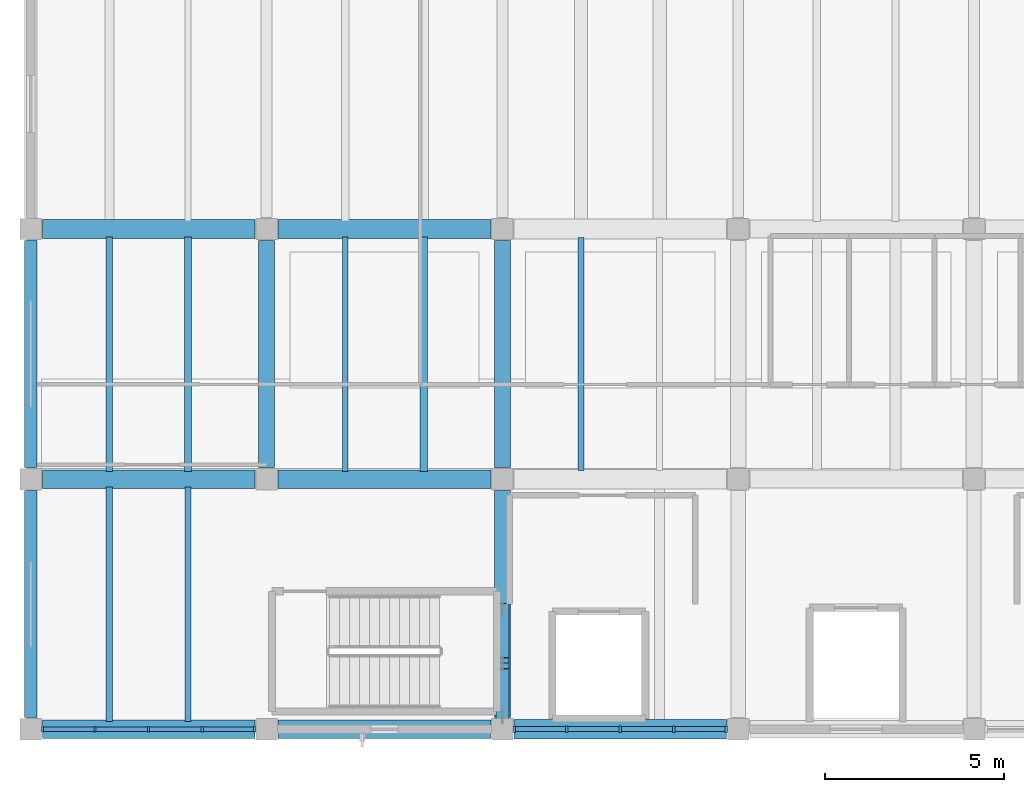
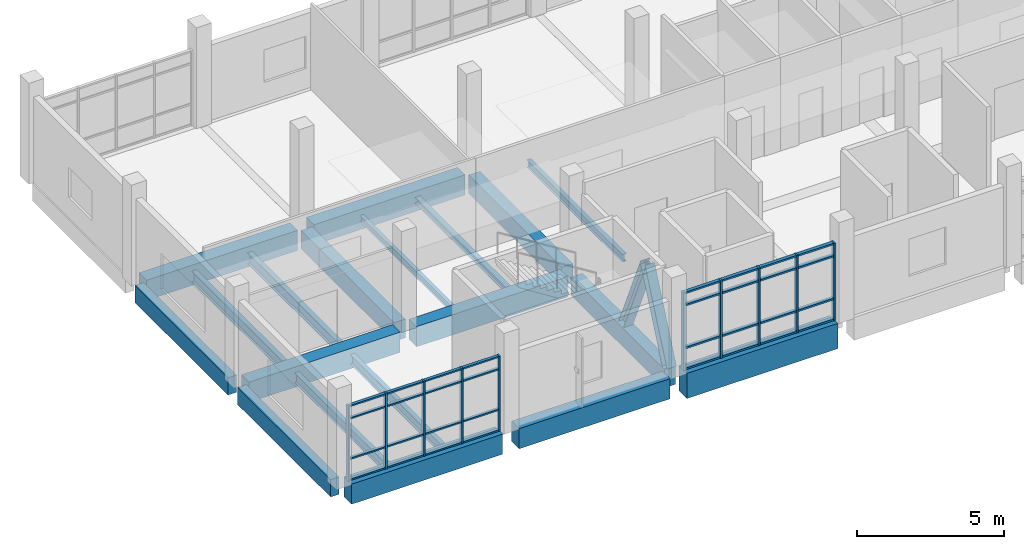
# One storey, part 2 of 14: 44 members, 19 beams, 2 elements without a shape of their own.
"""IFC4 building model written with IfcOpenShell, lengths in metres."""

from ifc_helpers import new_model, si_unit, direction, frame, origin, origin_2d, place, context, subcontext, project, spatial, rectangle, i_section, extrude, material, material_profile, profile_set, type_object, element, aggregate, save


model = new_model("IFC4")

# Units and contexts
model_context = context("Model", 3, precision=1e-05, world=origin(), true_north=direction((0.0, 1.0)))
body_context = subcontext(model_context, "Body", "Model", "MODEL_VIEW")
ifc_project = project(units=[si_unit("LENGTHUNIT", "METRE"), si_unit("AREAUNIT", "SQUARE_METRE"), si_unit("VOLUMEUNIT", "CUBIC_METRE"), si_unit("PLANEANGLEUNIT", "RADIAN"), si_unit("MASSUNIT", "GRAM", prefix="KILO")], contexts=[model_context])

# Site, building, storey
site_placement = place(None, origin())
site = spatial("IfcSite", under=ifc_project, at=site_placement, CompositionType="ELEMENT")
building_placement = place(site_placement, origin())
building = spatial("IfcBuilding", under=site, at=building_placement, Name="Ciguamira Faculty of Natural Sciences", CompositionType="ELEMENT")
storey_placement = place(building_placement, frame((0.0, 0.0, 29.39990234375)))
storey = spatial("IfcBuildingStorey", under=building, at=storey_placement, Name="L07", CompositionType="ELEMENT", Elevation=29.39990234375)

# Curtain wall, members
ifc_material_1 = material(Name="Anodized aluminium curtain wall", Category="aluminium")
curtain_wall_type_1 = type_object("IfcCurtainWallType", Name="CurtainWall_CW-04", PredefinedType="USERDEFINED", material=ifc_material_1)
curtain_wall_1_placement = place(storey_placement, origin())
curtain_wall_1 = element("IfcCurtainWall", 1, at=curtain_wall_1_placement, inside=storey, type_object=curtain_wall_type_1, Name="L07 unitised curtain wall 0148", ObjectType="UNITISED CURTAIN WALL", PredefinedType="USERDEFINED")
ifc_material_2 = material(Name="Anodized aluminium mullion", Category="aluminium")
ifc_material_profile_1 = material_profile(ifc_material_2, rectangle(XDim=0.06005859375, YDim=0.159912109375, at=origin_2d()), Name="ALU-MUL-60X160")
ifc_profile_set_1 = profile_set([ifc_material_profile_1], Name="Anodized aluminium mullion")
member_type_1 = type_object("IfcMemberType", Name="CWMullion_CWM-01", PredefinedType="MULLION", material=ifc_profile_set_1)
member_1_placement = place(storey_placement, frame((64.22998046875, 94.0, 0.0), z_axis=(0.0, 0.0, 1.0), x_axis=(1.0, 0.0, 0.0)))
member_1 = element("IfcMember", 2, at=member_1_placement, type_object=member_type_1, Name="CW-04 mullion 1", PredefinedType="MULLION", context=body_context, shape_type="SweptSolid", body=[
    extrude(rectangle(XDim=0.06005859375, YDim=0.159912109375, at=origin_2d()), origin(), (0.0, 0.0, 1.0), 3.135009765625),
])
member_2_placement = place(storey_placement, frame((65.699951171875, 94.0, 0.0), z_axis=(0.0, 0.0, 1.0), x_axis=(1.0, 0.0, 0.0)))
member_2 = element("IfcMember", 3, at=member_2_placement, type_object=member_type_1, Name="CW-04 mullion 2", PredefinedType="MULLION", context=body_context, shape_type="SweptSolid", body=[
    extrude(rectangle(XDim=0.06005859375, YDim=0.159912109375, at=origin_2d()), origin(), (0.0, 0.0, 1.0), 3.135009765625),
])
member_3_placement = place(storey_placement, frame((67.199951171875, 94.0, 0.0), z_axis=(0.0, 0.0, 1.0), x_axis=(1.0, 0.0, 0.0)))
member_3 = element("IfcMember", 4, at=member_3_placement, type_object=member_type_1, Name="CW-04 mullion 3", PredefinedType="MULLION", context=body_context, shape_type="SweptSolid", body=[
    extrude(rectangle(XDim=0.06005859375, YDim=0.159912109375, at=origin_2d()), origin(), (0.0, 0.0, 1.0), 3.135009765625),
])
member_4_placement = place(storey_placement, frame((68.699951171875, 94.0, 0.0), z_axis=(0.0, 0.0, 1.0), x_axis=(1.0, 0.0, 0.0)))
member_4 = element("IfcMember", 5, at=member_4_placement, type_object=member_type_1, Name="CW-04 mullion 4", PredefinedType="MULLION", context=body_context, shape_type="SweptSolid", body=[
    extrude(rectangle(XDim=0.06005859375, YDim=0.159912109375, at=origin_2d()), origin(), (0.0, 0.0, 1.0), 3.135009765625),
])
member_5_placement = place(storey_placement, frame((70.169921875, 94.0, 0.0), z_axis=(0.0, 0.0, 1.0), x_axis=(1.0, 0.0, 0.0)))
member_5 = element("IfcMember", 6, at=member_5_placement, type_object=member_type_1, Name="CW-04 mullion 5", PredefinedType="MULLION", context=body_context, shape_type="SweptSolid", body=[
    extrude(rectangle(XDim=0.06005859375, YDim=0.159912109375, at=origin_2d()), origin(), (0.0, 0.0, 1.0), 3.135009765625),
])

curtain_wall_type_2 = type_object("IfcCurtainWallType", Name="CurtainWall_CW-05", PredefinedType="USERDEFINED", material=ifc_material_1)
curtain_wall_2_placement = place(storey_placement, origin())
curtain_wall_2 = element("IfcCurtainWall", 7, at=curtain_wall_2_placement, inside=storey, type_object=curtain_wall_type_2, Name="L07 unitised curtain wall 0149", ObjectType="UNITISED CURTAIN WALL", PredefinedType="USERDEFINED")
ifc_material_profile_2 = material_profile(ifc_material_2, rectangle(XDim=0.070068359375, YDim=0.179931640625, at=origin_2d()), Name="ALU-MUL-70X180")
ifc_profile_set_2 = profile_set([ifc_material_profile_2], Name="Anodized aluminium mullion")
member_type_2 = type_object("IfcMemberType", Name="CWMullion_CWM-02", PredefinedType="MULLION", material=ifc_profile_set_2)
member_6_placement = place(storey_placement, frame((77.43505859375, 94.0, 0.0), z_axis=(0.0, 0.0, 1.0), x_axis=(1.0, 0.0, 0.0)))
member_6 = element("IfcMember", 8, at=member_6_placement, type_object=member_type_2, Name="CW-05 mullion 1", PredefinedType="MULLION", context=body_context, shape_type="SweptSolid", body=[
    extrude(rectangle(XDim=0.070068359375, YDim=0.179931640625, at=origin_2d()), origin(), (0.0, 0.0, 1.0), 3.235107421875),
])
member_7_placement = place(storey_placement, frame((78.89990234375, 94.0, 0.0), z_axis=(0.0, 0.0, 1.0), x_axis=(1.0, 0.0, 0.0)))
member_7 = element("IfcMember", 9, at=member_7_placement, type_object=member_type_2, Name="CW-05 mullion 2", PredefinedType="MULLION", context=body_context, shape_type="SweptSolid", body=[
    extrude(rectangle(XDim=0.070068359375, YDim=0.179931640625, at=origin_2d()), origin(), (0.0, 0.0, 1.0), 3.235107421875),
])
member_8_placement = place(storey_placement, frame((80.39990234375, 94.0, 0.0), z_axis=(0.0, 0.0, 1.0), x_axis=(1.0, 0.0, 0.0)))
member_8 = element("IfcMember", 10, at=member_8_placement, type_object=member_type_2, Name="CW-05 mullion 3", PredefinedType="MULLION", context=body_context, shape_type="SweptSolid", body=[
    extrude(rectangle(XDim=0.070068359375, YDim=0.179931640625, at=origin_2d()), origin(), (0.0, 0.0, 1.0), 3.235107421875),
])
member_9_placement = place(storey_placement, frame((81.89990234375, 94.0, 0.0), z_axis=(0.0, 0.0, 1.0), x_axis=(1.0, 0.0, 0.0)))
member_9 = element("IfcMember", 11, at=member_9_placement, type_object=member_type_2, Name="CW-05 mullion 4", PredefinedType="MULLION", context=body_context, shape_type="SweptSolid", body=[
    extrude(rectangle(XDim=0.070068359375, YDim=0.179931640625, at=origin_2d()), origin(), (0.0, 0.0, 1.0), 3.235107421875),
])
member_10_placement = place(storey_placement, frame((83.364990234375, 94.0, 0.0), z_axis=(0.0, 0.0, 1.0), x_axis=(1.0, 0.0, 0.0)))
member_10 = element("IfcMember", 12, at=member_10_placement, type_object=member_type_2, Name="CW-05 mullion 5", PredefinedType="MULLION", context=body_context, shape_type="SweptSolid", body=[
    extrude(rectangle(XDim=0.070068359375, YDim=0.179931640625, at=origin_2d()), origin(), (0.0, 0.0, 1.0), 3.235107421875),
])

# Member
ifc_material_3 = material(Name="Anodized aluminium transom", Category="aluminium")
ifc_material_profile_3 = material_profile(ifc_material_3, rectangle(XDim=0.06005859375, YDim=0.1201171875, at=origin_2d()), Name="ALU-TRN-60X120")
ifc_profile_set_3 = profile_set([ifc_material_profile_3], Name="Anodized aluminium transom")
member_type_3 = type_object("IfcMemberType", Name="CWTransom_CWT-01", PredefinedType="USERDEFINED", material=ifc_profile_set_3)
member_11_placement = place(storey_placement, frame((64.260009765625, 94.0, 0.030029296875), z_axis=(1.0, 0.0, 0.0), x_axis=(0.0, 0.0, 1.0)))
member_11 = element("IfcMember", 13, at=member_11_placement, type_object=member_type_3, Name="CW-04 transom 1.1", ObjectType="TRANSOM", PredefinedType="USERDEFINED", context=body_context, shape_type="SweptSolid", body=[
    extrude(rectangle(XDim=0.06005859375, YDim=0.1201171875, at=origin_2d()), origin(), (0.0, 0.0, 1.0), 1.409912109375),
])

member_12_placement = place(storey_placement, frame((64.260009765625, 94.0, 0.900146484375), z_axis=(1.0, 0.0, 0.0), x_axis=(0.0, 0.0, 1.0)))
member_12 = element("IfcMember", 14, at=member_12_placement, type_object=member_type_3, Name="CW-04 transom 1.2", ObjectType="TRANSOM", PredefinedType="USERDEFINED", context=body_context, shape_type="SweptSolid", body=[
    extrude(rectangle(XDim=0.06005859375, YDim=0.1201171875, at=origin_2d()), origin(), (0.0, 0.0, 1.0), 1.409912109375),
])

member_13_placement = place(storey_placement, frame((64.260009765625, 94.0, 2.585205078125), z_axis=(1.0, 0.0, 0.0), x_axis=(0.0, 0.0, 1.0)))
member_13 = element("IfcMember", 15, at=member_13_placement, type_object=member_type_3, Name="CW-04 transom 1.3", ObjectType="TRANSOM", PredefinedType="USERDEFINED", context=body_context, shape_type="SweptSolid", body=[
    extrude(rectangle(XDim=0.06005859375, YDim=0.1201171875, at=origin_2d()), origin(), (0.0, 0.0, 1.0), 1.409912109375),
])

member_14_placement = place(storey_placement, frame((64.260009765625, 94.0, 3.10498046875), z_axis=(1.0, 0.0, 0.0), x_axis=(0.0, 0.0, 1.0)))
member_14 = element("IfcMember", 16, at=member_14_placement, type_object=member_type_3, Name="CW-04 transom 1.4", ObjectType="TRANSOM", PredefinedType="USERDEFINED", context=body_context, shape_type="SweptSolid", body=[
    extrude(rectangle(XDim=0.06005859375, YDim=0.1201171875, at=origin_2d()), origin(), (0.0, 0.0, 1.0), 1.409912109375),
])

member_15_placement = place(storey_placement, frame((65.72998046875, 94.0, 0.030029296875), z_axis=(1.0, 0.0, 0.0), x_axis=(0.0, 0.0, 1.0)))
member_15 = element("IfcMember", 17, at=member_15_placement, type_object=member_type_3, Name="CW-04 transom 2.1", ObjectType="TRANSOM", PredefinedType="USERDEFINED", context=body_context, shape_type="SweptSolid", body=[
    extrude(rectangle(XDim=0.06005859375, YDim=0.1201171875, at=origin_2d()), origin(), (0.0, 0.0, 1.0), 1.43994140625),
])

member_16_placement = place(storey_placement, frame((65.72998046875, 94.0, 0.900146484375), z_axis=(1.0, 0.0, 0.0), x_axis=(0.0, 0.0, 1.0)))
member_16 = element("IfcMember", 18, at=member_16_placement, type_object=member_type_3, Name="CW-04 transom 2.2", ObjectType="TRANSOM", PredefinedType="USERDEFINED", context=body_context, shape_type="SweptSolid", body=[
    extrude(rectangle(XDim=0.06005859375, YDim=0.1201171875, at=origin_2d()), origin(), (0.0, 0.0, 1.0), 1.43994140625),
])

member_17_placement = place(storey_placement, frame((65.72998046875, 94.0, 2.585205078125), z_axis=(1.0, 0.0, 0.0), x_axis=(0.0, 0.0, 1.0)))
member_17 = element("IfcMember", 19, at=member_17_placement, type_object=member_type_3, Name="CW-04 transom 2.3", ObjectType="TRANSOM", PredefinedType="USERDEFINED", context=body_context, shape_type="SweptSolid", body=[
    extrude(rectangle(XDim=0.06005859375, YDim=0.1201171875, at=origin_2d()), origin(), (0.0, 0.0, 1.0), 1.43994140625),
])

member_18_placement = place(storey_placement, frame((65.72998046875, 94.0, 3.10498046875), z_axis=(1.0, 0.0, 0.0), x_axis=(0.0, 0.0, 1.0)))
member_18 = element("IfcMember", 20, at=member_18_placement, type_object=member_type_3, Name="CW-04 transom 2.4", ObjectType="TRANSOM", PredefinedType="USERDEFINED", context=body_context, shape_type="SweptSolid", body=[
    extrude(rectangle(XDim=0.06005859375, YDim=0.1201171875, at=origin_2d()), origin(), (0.0, 0.0, 1.0), 1.43994140625),
])

member_19_placement = place(storey_placement, frame((67.22998046875, 94.0, 0.030029296875), z_axis=(1.0, 0.0, 0.0), x_axis=(0.0, 0.0, 1.0)))
member_19 = element("IfcMember", 21, at=member_19_placement, type_object=member_type_3, Name="CW-04 transom 3.1", ObjectType="TRANSOM", PredefinedType="USERDEFINED", context=body_context, shape_type="SweptSolid", body=[
    extrude(rectangle(XDim=0.06005859375, YDim=0.1201171875, at=origin_2d()), origin(), (0.0, 0.0, 1.0), 1.43994140625),
])

member_20_placement = place(storey_placement, frame((67.22998046875, 94.0, 0.900146484375), z_axis=(1.0, 0.0, 0.0), x_axis=(0.0, 0.0, 1.0)))
member_20 = element("IfcMember", 22, at=member_20_placement, type_object=member_type_3, Name="CW-04 transom 3.2", ObjectType="TRANSOM", PredefinedType="USERDEFINED", context=body_context, shape_type="SweptSolid", body=[
    extrude(rectangle(XDim=0.06005859375, YDim=0.1201171875, at=origin_2d()), origin(), (0.0, 0.0, 1.0), 1.43994140625),
])

member_21_placement = place(storey_placement, frame((67.22998046875, 94.0, 2.585205078125), z_axis=(1.0, 0.0, 0.0), x_axis=(0.0, 0.0, 1.0)))
member_21 = element("IfcMember", 23, at=member_21_placement, type_object=member_type_3, Name="CW-04 transom 3.3", ObjectType="TRANSOM", PredefinedType="USERDEFINED", context=body_context, shape_type="SweptSolid", body=[
    extrude(rectangle(XDim=0.06005859375, YDim=0.1201171875, at=origin_2d()), origin(), (0.0, 0.0, 1.0), 1.43994140625),
])

member_22_placement = place(storey_placement, frame((67.22998046875, 94.0, 3.10498046875), z_axis=(1.0, 0.0, 0.0), x_axis=(0.0, 0.0, 1.0)))
member_22 = element("IfcMember", 24, at=member_22_placement, type_object=member_type_3, Name="CW-04 transom 3.4", ObjectType="TRANSOM", PredefinedType="USERDEFINED", context=body_context, shape_type="SweptSolid", body=[
    extrude(rectangle(XDim=0.06005859375, YDim=0.1201171875, at=origin_2d()), origin(), (0.0, 0.0, 1.0), 1.43994140625),
])

member_23_placement = place(storey_placement, frame((68.72998046875, 94.0, 0.030029296875), z_axis=(1.0, 0.0, 0.0), x_axis=(0.0, 0.0, 1.0)))
member_23 = element("IfcMember", 25, at=member_23_placement, type_object=member_type_3, Name="CW-04 transom 4.1", ObjectType="TRANSOM", PredefinedType="USERDEFINED", context=body_context, shape_type="SweptSolid", body=[
    extrude(rectangle(XDim=0.06005859375, YDim=0.1201171875, at=origin_2d()), origin(), (0.0, 0.0, 1.0), 1.409912109375),
])

member_24_placement = place(storey_placement, frame((68.72998046875, 94.0, 0.900146484375), z_axis=(1.0, 0.0, 0.0), x_axis=(0.0, 0.0, 1.0)))
member_24 = element("IfcMember", 26, at=member_24_placement, type_object=member_type_3, Name="CW-04 transom 4.2", ObjectType="TRANSOM", PredefinedType="USERDEFINED", context=body_context, shape_type="SweptSolid", body=[
    extrude(rectangle(XDim=0.06005859375, YDim=0.1201171875, at=origin_2d()), origin(), (0.0, 0.0, 1.0), 1.409912109375),
])

member_25_placement = place(storey_placement, frame((68.72998046875, 94.0, 2.585205078125), z_axis=(1.0, 0.0, 0.0), x_axis=(0.0, 0.0, 1.0)))
member_25 = element("IfcMember", 27, at=member_25_placement, type_object=member_type_3, Name="CW-04 transom 4.3", ObjectType="TRANSOM", PredefinedType="USERDEFINED", context=body_context, shape_type="SweptSolid", body=[
    extrude(rectangle(XDim=0.06005859375, YDim=0.1201171875, at=origin_2d()), origin(), (0.0, 0.0, 1.0), 1.409912109375),
])

member_26_placement = place(storey_placement, frame((68.72998046875, 94.0, 3.10498046875), z_axis=(1.0, 0.0, 0.0), x_axis=(0.0, 0.0, 1.0)))
member_26 = element("IfcMember", 28, at=member_26_placement, type_object=member_type_3, Name="CW-04 transom 4.4", ObjectType="TRANSOM", PredefinedType="USERDEFINED", context=body_context, shape_type="SweptSolid", body=[
    extrude(rectangle(XDim=0.06005859375, YDim=0.1201171875, at=origin_2d()), origin(), (0.0, 0.0, 1.0), 1.409912109375),
])

aggregate(curtain_wall_1, [member_1, member_2, member_3, member_4, member_5, member_11, member_12, member_13, member_14, member_15, member_16, member_17, member_18, member_19, member_20, member_21, member_22, member_23, member_24, member_25, member_26])

ifc_material_profile_4 = material_profile(ifc_material_3, rectangle(XDim=0.070068359375, YDim=0.139892578125, at=origin_2d()), Name="ALU-TRN-70X140")
ifc_profile_set_4 = profile_set([ifc_material_profile_4], Name="Anodized aluminium transom")
member_type_4 = type_object("IfcMemberType", Name="CWTransom_CWT-02", PredefinedType="USERDEFINED", material=ifc_profile_set_4)
member_27_placement = place(storey_placement, frame((77.469970703125, 94.0, 0.03515625), z_axis=(1.0, 0.0, 0.0), x_axis=(0.0, 0.0, 1.0)))
member_27 = element("IfcMember", 29, at=member_27_placement, type_object=member_type_4, Name="CW-05 transom 1.1", ObjectType="TRANSOM", PredefinedType="USERDEFINED", context=body_context, shape_type="SweptSolid", body=[
    extrude(rectangle(XDim=0.070068359375, YDim=0.139892578125, at=origin_2d()), origin(), (0.0, 0.0, 1.0), 1.39501953125),
])

member_28_placement = place(storey_placement, frame((77.469970703125, 94.0, 0.900146484375), z_axis=(1.0, 0.0, 0.0), x_axis=(0.0, 0.0, 1.0)))
member_28 = element("IfcMember", 30, at=member_28_placement, type_object=member_type_4, Name="CW-05 transom 1.2", ObjectType="TRANSOM", PredefinedType="USERDEFINED", context=body_context, shape_type="SweptSolid", body=[
    extrude(rectangle(XDim=0.070068359375, YDim=0.139892578125, at=origin_2d()), origin(), (0.0, 0.0, 1.0), 1.39501953125),
])

member_29_placement = place(storey_placement, frame((77.469970703125, 94.0, 2.68505859375), z_axis=(1.0, 0.0, 0.0), x_axis=(0.0, 0.0, 1.0)))
member_29 = element("IfcMember", 31, at=member_29_placement, type_object=member_type_4, Name="CW-05 transom 1.3", ObjectType="TRANSOM", PredefinedType="USERDEFINED", context=body_context, shape_type="SweptSolid", body=[
    extrude(rectangle(XDim=0.070068359375, YDim=0.139892578125, at=origin_2d()), origin(), (0.0, 0.0, 1.0), 1.39501953125),
])

member_30_placement = place(storey_placement, frame((77.469970703125, 94.0, 3.2001953125), z_axis=(1.0, 0.0, 0.0), x_axis=(0.0, 0.0, 1.0)))
member_30 = element("IfcMember", 32, at=member_30_placement, type_object=member_type_4, Name="CW-05 transom 1.4", ObjectType="TRANSOM", PredefinedType="USERDEFINED", context=body_context, shape_type="SweptSolid", body=[
    extrude(rectangle(XDim=0.070068359375, YDim=0.139892578125, at=origin_2d()), origin(), (0.0, 0.0, 1.0), 1.39501953125),
])

member_31_placement = place(storey_placement, frame((78.93505859375, 94.0, 0.03515625), z_axis=(1.0, 0.0, 0.0), x_axis=(0.0, 0.0, 1.0)))
member_31 = element("IfcMember", 33, at=member_31_placement, type_object=member_type_4, Name="CW-05 transom 2.1", ObjectType="TRANSOM", PredefinedType="USERDEFINED", context=body_context, shape_type="SweptSolid", body=[
    extrude(rectangle(XDim=0.070068359375, YDim=0.139892578125, at=origin_2d()), origin(), (0.0, 0.0, 1.0), 1.429931640625),
])

member_32_placement = place(storey_placement, frame((78.93505859375, 94.0, 0.900146484375), z_axis=(1.0, 0.0, 0.0), x_axis=(0.0, 0.0, 1.0)))
member_32 = element("IfcMember", 34, at=member_32_placement, type_object=member_type_4, Name="CW-05 transom 2.2", ObjectType="TRANSOM", PredefinedType="USERDEFINED", context=body_context, shape_type="SweptSolid", body=[
    extrude(rectangle(XDim=0.070068359375, YDim=0.139892578125, at=origin_2d()), origin(), (0.0, 0.0, 1.0), 1.429931640625),
])

member_33_placement = place(storey_placement, frame((78.93505859375, 94.0, 2.68505859375), z_axis=(1.0, 0.0, 0.0), x_axis=(0.0, 0.0, 1.0)))
member_33 = element("IfcMember", 35, at=member_33_placement, type_object=member_type_4, Name="CW-05 transom 2.3", ObjectType="TRANSOM", PredefinedType="USERDEFINED", context=body_context, shape_type="SweptSolid", body=[
    extrude(rectangle(XDim=0.070068359375, YDim=0.139892578125, at=origin_2d()), origin(), (0.0, 0.0, 1.0), 1.429931640625),
])

member_34_placement = place(storey_placement, frame((78.93505859375, 94.0, 3.2001953125), z_axis=(1.0, 0.0, 0.0), x_axis=(0.0, 0.0, 1.0)))
member_34 = element("IfcMember", 36, at=member_34_placement, type_object=member_type_4, Name="CW-05 transom 2.4", ObjectType="TRANSOM", PredefinedType="USERDEFINED", context=body_context, shape_type="SweptSolid", body=[
    extrude(rectangle(XDim=0.070068359375, YDim=0.139892578125, at=origin_2d()), origin(), (0.0, 0.0, 1.0), 1.429931640625),
])

member_35_placement = place(storey_placement, frame((80.43505859375, 94.0, 0.03515625), z_axis=(1.0, 0.0, 0.0), x_axis=(0.0, 0.0, 1.0)))
member_35 = element("IfcMember", 37, at=member_35_placement, type_object=member_type_4, Name="CW-05 transom 3.1", ObjectType="TRANSOM", PredefinedType="USERDEFINED", context=body_context, shape_type="SweptSolid", body=[
    extrude(rectangle(XDim=0.070068359375, YDim=0.139892578125, at=origin_2d()), origin(), (0.0, 0.0, 1.0), 1.429931640625),
])

member_36_placement = place(storey_placement, frame((80.43505859375, 94.0, 0.900146484375), z_axis=(1.0, 0.0, 0.0), x_axis=(0.0, 0.0, 1.0)))
member_36 = element("IfcMember", 38, at=member_36_placement, type_object=member_type_4, Name="CW-05 transom 3.2", ObjectType="TRANSOM", PredefinedType="USERDEFINED", context=body_context, shape_type="SweptSolid", body=[
    extrude(rectangle(XDim=0.070068359375, YDim=0.139892578125, at=origin_2d()), origin(), (0.0, 0.0, 1.0), 1.429931640625),
])

member_37_placement = place(storey_placement, frame((80.43505859375, 94.0, 2.68505859375), z_axis=(1.0, 0.0, 0.0), x_axis=(0.0, 0.0, 1.0)))
member_37 = element("IfcMember", 39, at=member_37_placement, type_object=member_type_4, Name="CW-05 transom 3.3", ObjectType="TRANSOM", PredefinedType="USERDEFINED", context=body_context, shape_type="SweptSolid", body=[
    extrude(rectangle(XDim=0.070068359375, YDim=0.139892578125, at=origin_2d()), origin(), (0.0, 0.0, 1.0), 1.429931640625),
])

member_38_placement = place(storey_placement, frame((80.43505859375, 94.0, 3.2001953125), z_axis=(1.0, 0.0, 0.0), x_axis=(0.0, 0.0, 1.0)))
member_38 = element("IfcMember", 40, at=member_38_placement, type_object=member_type_4, Name="CW-05 transom 3.4", ObjectType="TRANSOM", PredefinedType="USERDEFINED", context=body_context, shape_type="SweptSolid", body=[
    extrude(rectangle(XDim=0.070068359375, YDim=0.139892578125, at=origin_2d()), origin(), (0.0, 0.0, 1.0), 1.429931640625),
])

member_39_placement = place(storey_placement, frame((81.93505859375, 94.0, 0.03515625), z_axis=(1.0, 0.0, 0.0), x_axis=(0.0, 0.0, 1.0)))
member_39 = element("IfcMember", 41, at=member_39_placement, type_object=member_type_4, Name="CW-05 transom 4.1", ObjectType="TRANSOM", PredefinedType="USERDEFINED", context=body_context, shape_type="SweptSolid", body=[
    extrude(rectangle(XDim=0.070068359375, YDim=0.139892578125, at=origin_2d()), origin(), (0.0, 0.0, 1.0), 1.39501953125),
])

member_40_placement = place(storey_placement, frame((81.93505859375, 94.0, 0.900146484375), z_axis=(1.0, 0.0, 0.0), x_axis=(0.0, 0.0, 1.0)))
member_40 = element("IfcMember", 42, at=member_40_placement, type_object=member_type_4, Name="CW-05 transom 4.2", ObjectType="TRANSOM", PredefinedType="USERDEFINED", context=body_context, shape_type="SweptSolid", body=[
    extrude(rectangle(XDim=0.070068359375, YDim=0.139892578125, at=origin_2d()), origin(), (0.0, 0.0, 1.0), 1.39501953125),
])

member_41_placement = place(storey_placement, frame((81.93505859375, 94.0, 2.68505859375), z_axis=(1.0, 0.0, 0.0), x_axis=(0.0, 0.0, 1.0)))
member_41 = element("IfcMember", 43, at=member_41_placement, type_object=member_type_4, Name="CW-05 transom 4.3", ObjectType="TRANSOM", PredefinedType="USERDEFINED", context=body_context, shape_type="SweptSolid", body=[
    extrude(rectangle(XDim=0.070068359375, YDim=0.139892578125, at=origin_2d()), origin(), (0.0, 0.0, 1.0), 1.39501953125),
])

member_42_placement = place(storey_placement, frame((81.93505859375, 94.0, 3.2001953125), z_axis=(1.0, 0.0, 0.0), x_axis=(0.0, 0.0, 1.0)))
member_42 = element("IfcMember", 44, at=member_42_placement, type_object=member_type_4, Name="CW-05 transom 4.4", ObjectType="TRANSOM", PredefinedType="USERDEFINED", context=body_context, shape_type="SweptSolid", body=[
    extrude(rectangle(XDim=0.070068359375, YDim=0.139892578125, at=origin_2d()), origin(), (0.0, 0.0, 1.0), 1.39501953125),
])

aggregate(curtain_wall_2, [member_6, member_7, member_8, member_9, member_10, member_27, member_28, member_29, member_30, member_31, member_32, member_33, member_34, member_35, member_36, member_37, member_38, member_39, member_40, member_41, member_42])

# Beams
ifc_material_4 = material(Name="Concrete C40/50", Category="concrete")
ifc_material_profile_5 = material_profile(ifc_material_4, rectangle(XDim=0.550048828125, YDim=1.050048828125, at=origin_2d()), Name="RC-BM-550X1050")
ifc_profile_set_5 = profile_set([ifc_material_profile_5], Name="Concrete C40/50")
beam_type_1 = type_object("IfcBeamType", Name="RCBeam_BG-01_RC-BM-550X1050", PredefinedType="BEAM", material=ifc_profile_set_5)
beam_1_placement = place(storey_placement, frame((77.425048828125, 94.0, -0.52490234375), z_axis=(1.0, 0.0, 0.0), x_axis=(0.0, 1.0, 0.0)))
element("IfcBeam", 45, at=beam_1_placement, inside=storey, type_object=beam_type_1, Name="L07 RC girder EW-1546", PredefinedType="BEAM", context=body_context, shape_type="SweptSolid", body=[
    extrude(rectangle(XDim=0.550048828125, YDim=1.050048828125, at=origin_2d()), origin(), (0.0, 0.0, 1.0), 5.949951171875),
])
ifc_material_profile_6 = material_profile(ifc_material_4, rectangle(XDim=0.43994140625, YDim=0.780029296875, at=origin_2d()), Name="RC-BM-440X780")
ifc_profile_set_6 = profile_set([ifc_material_profile_6], Name="Concrete C40/50")
beam_type_2 = type_object("IfcBeamType", Name="RCBeam_BG-06_RC-BM-440X780", PredefinedType="BEAM", material=ifc_profile_set_6)
for number, where, z_axis, x_axis, name in (
    (46, (70.5, 101.324951171875, -0.389892578125), (0.0, 1.0, 0.0), (-1.0, 0.0, 0.0), "L07 girder NS-1575"),
    (47, (77.10009765625, 101.324951171875, -0.389892578125), (0.0, 1.0, 0.0), (-1.0, 0.0, 0.0), "L07 girder NS-1577"),
    (48, (77.10009765625, 94.324951171875, -0.389892578125), (0.0, 1.0, 0.0), (-1.0, 0.0, 0.0), "L07 core-end brace tie girder 77"),
):
    element("IfcBeam", number, at=place(storey_placement, frame(where, z_axis=z_axis, x_axis=x_axis)), inside=storey, type_object=beam_type_2, Name=name, PredefinedType="BEAM", context=body_context, shape_type="SweptSolid", body=[
        extrude(rectangle(XDim=0.43994140625, YDim=0.780029296875, at=origin_2d()), origin(), (0.0, 0.0, 1.0), 6.35009765625),
    ])
ifc_material_5 = material(Name="Precast concrete C40/50", Category="concrete")
ifc_material_profile_7 = material_profile(ifc_material_5, rectangle(XDim=0.340087890625, YDim=0.719970703125, at=origin_2d()), Name="RC-SP-340X720")
ifc_profile_set_7 = profile_set([ifc_material_profile_7], Name="Precast concrete C40/50")
beam_type_3 = type_object("IfcBeamType", Name="RCBeam_SP-03_RC-SP-340X720", PredefinedType="SPANDREL", material=ifc_profile_set_7)
for number, where, z_axis, x_axis, name in (
    (49, (63.89990234375, 94.324951171875, -0.35986328125), (0.0, 1.0, 0.0), (-1.0, 0.0, 0.0), "L07 girder NS-1572"),
    (50, (63.89990234375, 101.324951171875, -0.35986328125), (0.0, 1.0, 0.0), (-1.0, 0.0, 0.0), "L07 girder NS-1573"),
):
    element("IfcBeam", number, at=place(storey_placement, frame(where, z_axis=z_axis, x_axis=x_axis)), inside=storey, type_object=beam_type_3, Name=name, PredefinedType="SPANDREL", context=body_context, shape_type="SweptSolid", body=[
        extrude(rectangle(XDim=0.340087890625, YDim=0.719970703125, at=origin_2d()), origin(), (0.0, 0.0, 1.0), 6.35009765625),
    ])
ifc_material_profile_8 = material_profile(ifc_material_4, rectangle(XDim=0.52001953125, YDim=0.840087890625, at=origin_2d()), Name="RC-TB-520X840")
ifc_profile_set_8 = profile_set([ifc_material_profile_8], Name="Concrete C40/50")
beam_type_4 = type_object("IfcBeamType", Name="RCBeam_TB-02_RC-TB-520X840", PredefinedType="T_BEAM", material=ifc_profile_set_8)
for number, where, z_axis, x_axis, name in (
    (51, (64.22509765625, 94.0, -0.419921875), (1.0, 0.0, 0.0), (0.0, 1.0, 0.0), "L07 RC girder EW-1544"),
    (52, (70.824951171875, 94.0, -0.419921875), (1.0, 0.0, 0.0), (0.0, 1.0, 0.0), "L07 RC girder EW-1545"),
    (53, (64.22509765625, 101.0, -0.419921875), (1.0, 0.0, 0.0), (0.0, 1.0, 0.0), "L07 RC girder EW-1551"),
    (54, (70.824951171875, 101.0, -0.419921875), (1.0, 0.0, 0.0), (0.0, 1.0, 0.0), "L07 RC girder EW-1552"),
    (55, (64.22509765625, 108.0, -0.419921875), (1.0, 0.0, 0.0), (0.0, 1.0, 0.0), "L07 RC girder EW-1558"),
    (56, (70.824951171875, 108.0, -0.419921875), (1.0, 0.0, 0.0), (0.0, 1.0, 0.0), "L07 RC girder EW-1559"),
):
    element("IfcBeam", number, at=place(storey_placement, frame(where, z_axis=z_axis, x_axis=x_axis)), inside=storey, type_object=beam_type_4, Name=name, PredefinedType="T_BEAM", context=body_context, shape_type="SweptSolid", body=[
        extrude(rectangle(XDim=0.52001953125, YDim=0.840087890625, at=origin_2d()), origin(), (0.0, 0.0, 1.0), 5.949951171875),
    ])
ifc_material_6 = material(Name="Steel ASTM A992 Grade 50", Category="steel")
ifc_material_profile_9 = material_profile(ifc_material_6, i_section(OverallWidth=0.14599609375, OverallDepth=0.259033203125, WebThickness=0.006103515625, FlangeThickness=0.009033203125, at=origin_2d()), Name="W10X22")
ifc_profile_set_9 = profile_set([ifc_material_profile_9], Name="Steel ASTM A992 Grade 50")
beam_type_5 = type_object("IfcBeamType", Name="SteelJoist_SJ-01_W10X22", PredefinedType="JOIST", material=ifc_profile_set_9)
beam_2_placement = place(storey_placement, frame((72.699951171875, 101.219970703125, -0.369384765625), z_axis=(0.0, 1.0, 0.0), x_axis=(-1.0, 0.0, 0.0)))
element("IfcBeam", 57, at=beam_2_placement, inside=storey, type_object=beam_type_5, Name="L07 composite steel joist 01422", PredefinedType="JOIST", context=body_context, shape_type="SweptSolid", body=[
    extrude(i_section(OverallWidth=0.14599609375, OverallDepth=0.259033203125, WebThickness=0.006103515625, FlangeThickness=0.009033203125, at=origin_2d()), origin(), (0.0, 0.0, 1.0), 6.56005859375),
])
ifc_material_profile_10 = material_profile(ifc_material_6, i_section(OverallWidth=0.2021484375, OverallDepth=0.2470703125, WebThickness=0.00732421875, FlangeThickness=0.010986328125, at=origin_2d()), Name="W10X33")
ifc_profile_set_10 = profile_set([ifc_material_profile_10], Name="Steel ASTM A992 Grade 50")
beam_type_6 = type_object("IfcBeamType", Name="SteelJoist_SJ-02_W10X33", PredefinedType="JOIST", material=ifc_profile_set_10)
beam_3_placement = place(storey_placement, frame((74.89990234375, 101.219970703125, -0.363525390625), z_axis=(0.0, 1.0, 0.0), x_axis=(-1.0, 0.0, 0.0)))
element("IfcBeam", 58, at=beam_3_placement, inside=storey, type_object=beam_type_6, Name="L07 composite steel joist 01423", PredefinedType="JOIST", context=body_context, shape_type="SweptSolid", body=[
    extrude(i_section(OverallWidth=0.2021484375, OverallDepth=0.2470703125, WebThickness=0.00732421875, FlangeThickness=0.010986328125, at=origin_2d()), origin(), (0.0, 0.0, 1.0), 6.56005859375),
])
ifc_material_profile_11 = material_profile(ifc_material_6, i_section(OverallWidth=0.164794921875, OverallDepth=0.309814453125, WebThickness=0.005859375, FlangeThickness=0.009765625, at=origin_2d()), Name="W12X26")
ifc_profile_set_11 = profile_set([ifc_material_profile_11], Name="Steel ASTM A992 Grade 50")
beam_type_7 = type_object("IfcBeamType", Name="SteelJoist_SJ-04_W12X26", PredefinedType="JOIST", material=ifc_profile_set_11)
beam_4_placement = place(storey_placement, frame((79.300048828125, 101.235107421875, -0.394775390625), z_axis=(0.0, 1.0, 0.0), x_axis=(-1.0, 0.0, 0.0)))
element("IfcBeam", 59, at=beam_4_placement, inside=storey, type_object=beam_type_7, Name="L07 composite steel joist 01427", PredefinedType="JOIST", context=body_context, shape_type="SweptSolid", body=[
    extrude(i_section(OverallWidth=0.164794921875, OverallDepth=0.309814453125, WebThickness=0.005859375, FlangeThickness=0.009765625, at=origin_2d()), origin(), (0.0, 0.0, 1.0), 6.52978515625),
])
ifc_material_profile_12 = material_profile(ifc_material_6, i_section(OverallWidth=0.177490234375, OverallDepth=0.40380859375, WebThickness=0.007568359375, FlangeThickness=0.010986328125, at=origin_2d()), Name="W16X36")
ifc_profile_set_12 = profile_set([ifc_material_profile_12], Name="Steel ASTM A992 Grade 50")
beam_type_8 = type_object("IfcBeamType", Name="SteelJoist_SJ-18_W16X36", PredefinedType="JOIST", material=ifc_profile_set_12)
beam_5_placement = place(storey_placement, frame((66.10009765625, 94.219970703125, -0.44189453125), z_axis=(0.0, 1.0, 0.0), x_axis=(-1.0, 0.0, 0.0)))
element("IfcBeam", 60, at=beam_5_placement, inside=storey, type_object=beam_type_8, Name="L07 composite steel joist 01416", PredefinedType="JOIST", context=body_context, shape_type="SweptSolid", body=[
    extrude(i_section(OverallWidth=0.177490234375, OverallDepth=0.40380859375, WebThickness=0.007568359375, FlangeThickness=0.010986328125, at=origin_2d()), origin(), (0.0, 0.0, 1.0), 6.56005859375),
])
ifc_material_profile_13 = material_profile(ifc_material_6, i_section(OverallWidth=0.1787109375, OverallDepth=0.408935546875, WebThickness=0.0087890625, FlangeThickness=0.014404296875, at=origin_2d()), Name="W16X45")
ifc_profile_set_13 = profile_set([ifc_material_profile_13], Name="Steel ASTM A992 Grade 50")
beam_type_9 = type_object("IfcBeamType", Name="SteelJoist_SJ-19_W16X45", PredefinedType="JOIST", material=ifc_profile_set_13)
beam_6_placement = place(storey_placement, frame((68.300048828125, 94.219970703125, -0.4443359375), z_axis=(0.0, 1.0, 0.0), x_axis=(-1.0, 0.0, 0.0)))
element("IfcBeam", 61, at=beam_6_placement, inside=storey, type_object=beam_type_9, Name="L07 composite steel joist 01417", PredefinedType="JOIST", context=body_context, shape_type="SweptSolid", body=[
    extrude(i_section(OverallWidth=0.1787109375, OverallDepth=0.408935546875, WebThickness=0.0087890625, FlangeThickness=0.014404296875, at=origin_2d()), origin(), (0.0, 0.0, 1.0), 6.56005859375),
])
ifc_material_profile_14 = material_profile(ifc_material_6, i_section(OverallWidth=0.1904296875, OverallDepth=0.457275390625, WebThickness=0.009033203125, FlangeThickness=0.014404296875, at=origin_2d()), Name="W18X50")
ifc_profile_set_14 = profile_set([ifc_material_profile_14], Name="Steel ASTM A992 Grade 50")
beam_type_10 = type_object("IfcBeamType", Name="SteelJoist_SJ-23_W18X50", PredefinedType="JOIST", material=ifc_profile_set_14)
beam_7_placement = place(storey_placement, frame((66.10009765625, 101.219970703125, -0.468505859375), z_axis=(0.0, 1.0, 0.0), x_axis=(-1.0, 0.0, 0.0)))
element("IfcBeam", 62, at=beam_7_placement, inside=storey, type_object=beam_type_10, Name="L07 composite steel joist 01418", PredefinedType="JOIST", context=body_context, shape_type="SweptSolid", body=[
    extrude(i_section(OverallWidth=0.1904296875, OverallDepth=0.457275390625, WebThickness=0.009033203125, FlangeThickness=0.014404296875, at=origin_2d()), origin(), (0.0, 0.0, 1.0), 6.56005859375),
])
ifc_material_profile_15 = material_profile(ifc_material_6, i_section(OverallWidth=0.19287109375, OverallDepth=0.46728515625, WebThickness=0.011474609375, FlangeThickness=0.01904296875, at=origin_2d()), Name="W18X65")
ifc_profile_set_15 = profile_set([ifc_material_profile_15], Name="Steel ASTM A992 Grade 50")
beam_type_11 = type_object("IfcBeamType", Name="SteelJoist_SJ-24_W18X65", PredefinedType="JOIST", material=ifc_profile_set_15)
beam_8_placement = place(storey_placement, frame((68.300048828125, 101.219970703125, -0.4736328125), z_axis=(0.0, 1.0, 0.0), x_axis=(-1.0, 0.0, 0.0)))
element("IfcBeam", 63, at=beam_8_placement, inside=storey, type_object=beam_type_11, Name="L07 composite steel joist 01419", PredefinedType="JOIST", context=body_context, shape_type="SweptSolid", body=[
    extrude(i_section(OverallWidth=0.19287109375, OverallDepth=0.46728515625, WebThickness=0.011474609375, FlangeThickness=0.01904296875, at=origin_2d()), origin(), (0.0, 0.0, 1.0), 6.56005859375),
])

# Members
ifc_material_profile_16 = material_profile(ifc_material_6, i_section(OverallWidth=0.368408203125, OverallDepth=0.355712890625, WebThickness=0.01123046875, FlangeThickness=0.01806640625, at=origin_2d()), Name="W14X90")
ifc_profile_set_16 = profile_set([ifc_material_profile_16], Name="Steel ASTM A992 Grade 50")
member_type_5 = type_object("IfcMemberType", Name="SteelMember_BR-01_W14X90", PredefinedType="BRACE", material=ifc_profile_set_16)
for number, where, z_axis, x_axis, name in (
    (64, (77.10009765625, 94.35009765625, 0.0), (0.0, 0.401645143601, 0.915795380323), (-1.0, 0.0, 0.0), "L07 lateral chevron brace 033"),
    (65, (77.10009765625, 97.35009765625, 0.0), (0.0, -0.401645143601, 0.915795380323), (1.0, 0.0, 0.0), "L07 lateral chevron brace 034"),
):
    element("IfcMember", number, at=place(storey_placement, frame(where, z_axis=z_axis, x_axis=x_axis)), inside=storey, type_object=member_type_5, Name=name, PredefinedType="BRACE", context=body_context, shape_type="SweptSolid", body=[
        extrude(i_section(OverallWidth=0.368408203125, OverallDepth=0.355712890625, WebThickness=0.01123046875, FlangeThickness=0.01806640625, at=origin_2d()), origin(), (0.0, 0.0, 1.0), 3.734619140625),
    ])

save(model, "model.ifc")
